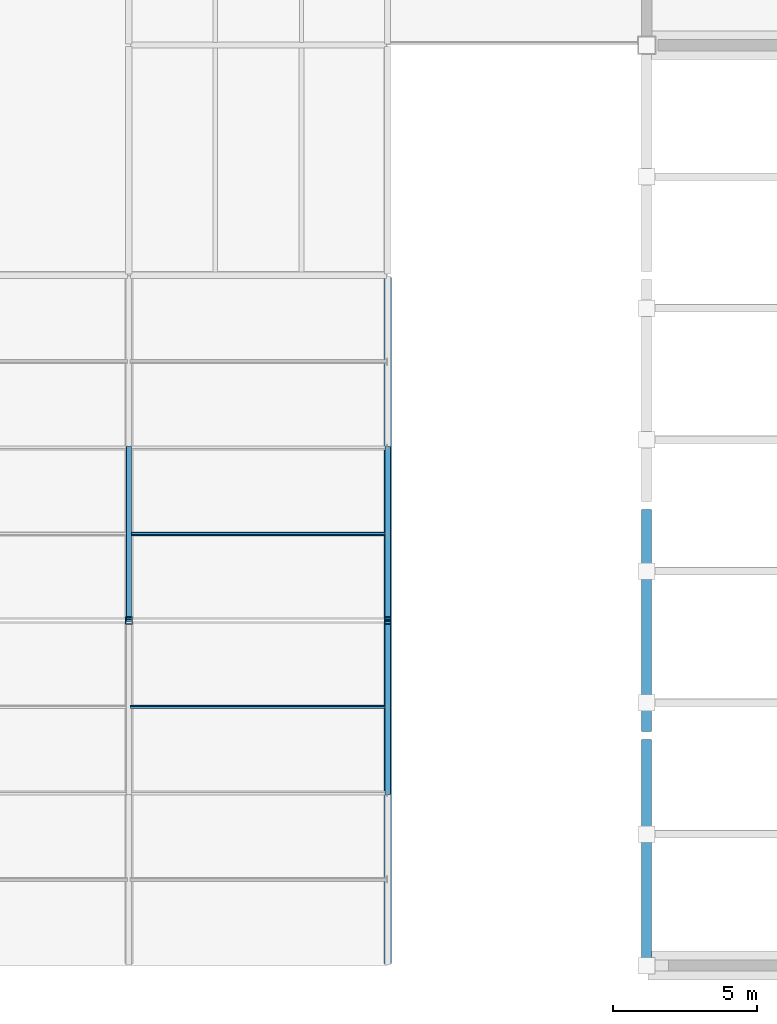
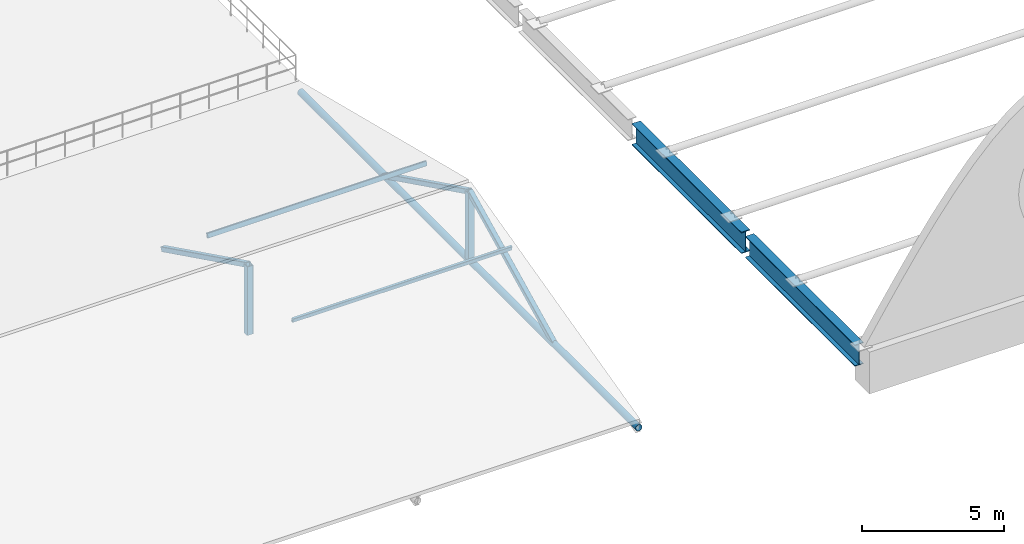
# One storey, part 9 of 54: 8 members, 2 beams.
"""IFC4 building model written with IfcOpenShell, lengths in metres."""

from ifc_helpers import new_model, si_unit, direction, frame, origin, origin_2d, place, context, subcontext, project, spatial, hollow_rectangle, hollow_circle, i_section, extrude, material, material_profile, profile_set, type_object, element, save


model = new_model("IFC4")

# Units and contexts
model_context = context("Model", 3, precision=1e-05, world=origin(), true_north=direction((0.0, 1.0)))
body_context = subcontext(model_context, "Body", "Model", "MODEL_VIEW")
ifc_project = project(units=[si_unit("LENGTHUNIT", "METRE"), si_unit("AREAUNIT", "SQUARE_METRE"), si_unit("VOLUMEUNIT", "CUBIC_METRE"), si_unit("PLANEANGLEUNIT", "RADIAN"), si_unit("MASSUNIT", "GRAM", prefix="KILO")], contexts=[model_context])

# Site, building, storey
site_placement = place(None, origin())
site = spatial("IfcSite", under=ifc_project, at=site_placement, CompositionType="ELEMENT")
building_placement = place(site_placement, origin())
building = spatial("IfcBuilding", under=site, at=building_placement, Name="Marnock Terrace Opera House", CompositionType="ELEMENT")
storey_placement = place(building_placement, frame((0.0, 0.0, 19.199951171875)))
storey = spatial("IfcBuildingStorey", under=building, at=storey_placement, Name="L04", CompositionType="ELEMENT", Elevation=19.199951171875)

# Beams
ifc_material_1 = material(Name="Steel Grade 350 Welded (AS/NZS 3679.2)", Category="steel")
ifc_material_profile_1 = material_profile(ifc_material_1, i_section(OverallWidth=0.35009765625, OverallDepth=0.924072265625, WebThickness=0.01611328125, FlangeThickness=0.031982421875, at=origin_2d()))
ifc_profile_set_1 = profile_set([ifc_material_profile_1], Name="Steel Grade 350 Welded (AS/NZS 3679.2)")
beam_type = type_object("IfcBeamType", Name="BM-VALLEY-900", PredefinedType="BEAM", material=ifc_profile_set_1)
for number, where, z_axis, x_axis, name in (
    (1, (55.0, 8.139892578125, -0.4619140625), (0.0, 1.0, 0.0), (-1.0, 0.0, 0.0), "Grand Hall barrel-vault valley girder X=55"),
    (2, (55.0, 16.139892578125, -0.4619140625), (0.0, 1.0, 0.0), (-1.0, 0.0, 0.0), "Grand Hall barrel-vault valley girder X=55"),
):
    element("IfcBeam", number, at=place(storey_placement, frame(where, z_axis=z_axis, x_axis=x_axis)), inside=storey, type_object=beam_type, Name=name, PredefinedType="BEAM", context=body_context, shape_type="SweptSolid", body=[
        extrude(i_section(OverallWidth=0.35009765625, OverallDepth=0.924072265625, WebThickness=0.01611328125, FlangeThickness=0.031982421875, at=origin_2d()), origin(), (0.0, 0.0, 1.0), 7.72021484375),
    ])

# Members
ifc_material_2 = material(Name="Cold-formed Steel Grade C350L0 (AS/NZS 1163)", Category="steel")
ifc_material_profile_2 = material_profile(ifc_material_2, hollow_rectangle(XDim=0.10009765625, YDim=0.199951171875, WallThickness=0.008056640625, InnerFilletRadius=0.008056640625, OuterFilletRadius=0.01611328125, at=origin_2d()))
ifc_profile_set_2 = profile_set([ifc_material_profile_2], Name="Cold-formed Steel Grade C350L0 (AS/NZS 1163)")
member_type_1 = type_object("IfcMemberType", Name="MEM-ROOF-PURL", PredefinedType="PURLIN", material=ifc_profile_set_2)
for number, where, z_axis, x_axis, name in (
    (3, (37.0400390625, 17.0, 1.928466796875), (1.0, 0.0, 0.0), (0.0, 0.970142684147, 0.242534889029), "Rehearsal Wing roof purlin Y=17 bay 5"),
    (4, (37.0400390625, 23.0, 1.928466796875), (1.0, 0.0, 0.0), (0.0, 0.970142684147, -0.242534889029), "Rehearsal Wing roof purlin Y=23 bay 5"),
):
    element("IfcMember", number, at=place(storey_placement, frame(where, z_axis=z_axis, x_axis=x_axis)), inside=storey, type_object=member_type_1, Name=name, PredefinedType="PURLIN", context=body_context, shape_type="SweptSolid", body=[
        extrude(hollow_rectangle(XDim=0.10009765625, YDim=0.199951171875, WallThickness=0.008056640625, InnerFilletRadius=0.008056640625, OuterFilletRadius=0.01611328125, at=origin_2d()), origin(), (0.0, 0.0, 1.0), 8.919921875),
    ])
ifc_material_profile_3 = material_profile(ifc_material_2, hollow_rectangle(XDim=0.25, YDim=0.25, WallThickness=0.010009765625, InnerFilletRadius=0.010009765625, OuterFilletRadius=0.02001953125, at=origin_2d()))
ifc_profile_set_3 = profile_set([ifc_material_profile_3], Name="Cold-formed Steel Grade C350L0 (AS/NZS 1163)")
member_type_2 = type_object("IfcMemberType", Name="MEM-TRUSS-WEB1", PredefinedType="STRUT", material=ifc_profile_set_3)
for number, where, z_axis, x_axis, name in (
    (5, (37.0, 20.0, -0.435546875), (0.0, 0.0, 1.0), (1.0, 0.0, 0.0), "Rehearsal Wing roof truss king post"),
    (6, (46.0, 20.0, -0.435546875), (0.0, 0.0, 1.0), (1.0, 0.0, 0.0), "Rehearsal Wing roof truss king post"),
):
    element("IfcMember", number, at=place(storey_placement, frame(where, z_axis=z_axis, x_axis=x_axis)), inside=storey, type_object=member_type_2, Name=name, PredefinedType="STRUT", context=body_context, shape_type="SweptSolid", body=[
        extrude(hollow_rectangle(XDim=0.25, YDim=0.25, WallThickness=0.010009765625, InnerFilletRadius=0.010009765625, OuterFilletRadius=0.02001953125, at=origin_2d()), origin(), (0.0, 0.0, 1.0), 2.960205078125),
    ])
ifc_material_profile_4 = material_profile(ifc_material_2, hollow_rectangle(XDim=0.199951171875, YDim=0.199951171875, WallThickness=0.009033203125, InnerFilletRadius=0.009033203125, OuterFilletRadius=0.01806640625, at=origin_2d()))
ifc_profile_set_4 = profile_set([ifc_material_profile_4], Name="Cold-formed Steel Grade C350L0 (AS/NZS 1163)")
member_type_3 = type_object("IfcMemberType", Name="MEM-TRUSS-WEB2", PredefinedType="BRACE", material=ifc_profile_set_4)
for number, where, z_axis, x_axis, name in (
    (7, (37.0, 26.0, -0.435546875), (0.0, -0.896793722632, 0.442448888628), (1.0, 0.0, 0.0), "Rehearsal Wing roof truss diagonal N"),
    (8, (46.0, 14.0, -0.435546875), (0.0, 0.896793722632, 0.442448888628), (-1.0, 0.0, 0.0), "Rehearsal Wing roof truss diagonal S"),
    (9, (46.0, 26.0, -0.435546875), (0.0, -0.896793722632, 0.442448888628), (1.0, 0.0, 0.0), "Rehearsal Wing roof truss diagonal N"),
):
    element("IfcMember", number, at=place(storey_placement, frame(where, z_axis=z_axis, x_axis=x_axis)), inside=storey, type_object=member_type_3, Name=name, PredefinedType="BRACE", context=body_context, shape_type="SweptSolid", body=[
        extrude(hollow_rectangle(XDim=0.199951171875, YDim=0.199951171875, WallThickness=0.009033203125, InnerFilletRadius=0.009033203125, OuterFilletRadius=0.01806640625, at=origin_2d()), origin(), (0.0, 0.0, 1.0), 6.6904296875),
    ])
ifc_material_profile_5 = material_profile(ifc_material_2, hollow_circle(Radius=0.136474609375, WallThickness=0.00927734375, at=origin_2d()))
ifc_profile_set_5 = profile_set([ifc_material_profile_5], Name="Cold-formed Steel Grade C350L0 (AS/NZS 1163)")
member_type_4 = type_object("IfcMemberType", Name="MEM-VAULT-TIE", PredefinedType="COLLAR", material=ifc_profile_set_5)
member_placement = place(storey_placement, frame((46.0, 8.080078125, -0.435546875), z_axis=(0.0, 1.0, 0.0), x_axis=(-1.0, 0.0, 0.0)))
element("IfcMember", 10, at=member_placement, inside=storey, type_object=member_type_4, Name="Rehearsal Wing roof truss tie chord", PredefinedType="COLLAR", context=body_context, shape_type="SweptSolid", body=[
    extrude(hollow_circle(Radius=0.136474609375, WallThickness=0.00927734375, at=origin_2d()), origin(), (0.0, 0.0, 1.0), 23.83984375),
])

save(model, "model.ifc")
